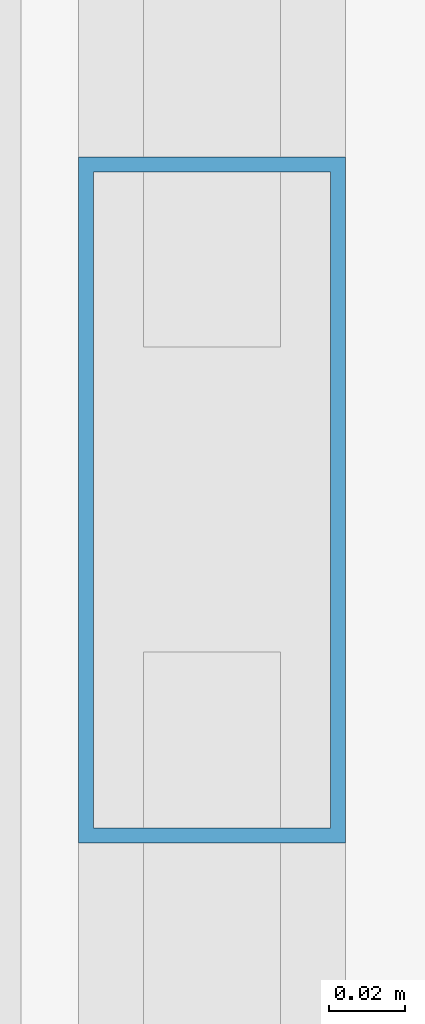
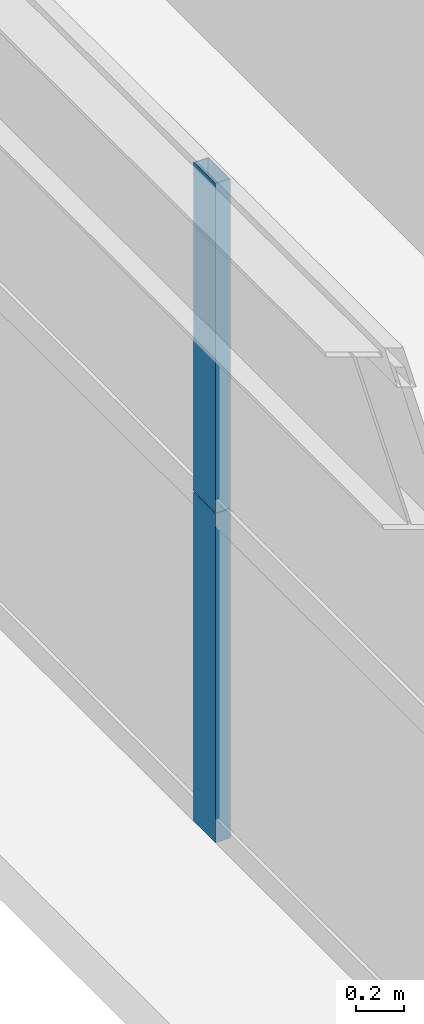
# One storey, part 22 of 43: 2 members, 1 element without a shape of its own.
"""IFC4 building model written with IfcOpenShell, lengths in metres."""

from ifc_helpers import new_model, si_unit, direction, frame, origin, origin_2d, place, context, subcontext, project, spatial, hollow_rectangle, extrude, source, transform, mapped, material, layer, layer_set, material_profile, profile_set, type_object, element, aggregate, save


model = new_model("IFC4")

# Units and contexts
model_context = context("Model", 3, precision=1e-05, world=origin(), true_north=direction((0.0, 1.0)))
body_context = subcontext(model_context, "Body", "Model", "MODEL_VIEW")
ifc_project = project(units=[si_unit("LENGTHUNIT", "METRE"), si_unit("AREAUNIT", "SQUARE_METRE"), si_unit("VOLUMEUNIT", "CUBIC_METRE"), si_unit("PLANEANGLEUNIT", "RADIAN"), si_unit("MASSUNIT", "GRAM", prefix="KILO"), si_unit("THERMODYNAMICTEMPERATUREUNIT", "KELVIN"), si_unit("POWERUNIT", "WATT")], contexts=[model_context])

# Site, building, storey
site_placement = place(None, origin())
site = spatial("IfcSite", under=ifc_project, at=site_placement, CompositionType="ELEMENT")
building_placement = place(site_placement, origin())
building = spatial("IfcBuilding", under=site, at=building_placement, Name="Yuzanri Waterfront Tower", CompositionType="ELEMENT")
storey_placement = place(building_placement, frame((0.0, 0.0, 37.800048828125)))
storey = spatial("IfcBuildingStorey", under=building, at=storey_placement, Name="L09", CompositionType="ELEMENT", Elevation=37.800048828125)

# Curtain wall, members
ifc_material_1 = material(Name="Anodized Architectural Bronze", Category="metal")
ifc_layer = layer(ifc_material_1, 0.159912109375)
ifc_layer_set = layer_set([ifc_layer], Name="Anodized Architectural Bronze")
curtain_wall_type = type_object("IfcCurtainWallType", Name="Anodized Bronze Hotel Lower-Tier Recessed Unitized Curtain Wall 8100", PredefinedType="NOTDEFINED", material=ifc_layer_set)
curtain_wall_placement = place(storey_placement, origin())
curtain_wall = element("IfcCurtainWall", 1, at=curtain_wall_placement, inside=storey, type_object=curtain_wall_type, Name="L09 Curtain Wall CW-L09-WR", PredefinedType="NOTDEFINED")
ifc_material_2 = material(Name="Anodized Architectural Bronze", Category="metal")
ifc_material_profile = material_profile(ifc_material_2, hollow_rectangle(XDim=0.070068359375, YDim=0.179931640625, WallThickness=0.00390625, at=origin_2d()), Name="CWM 70x180")
ifc_profile_set = profile_set([ifc_material_profile], Name="Anodized Architectural Bronze")
member_type = type_object("IfcMemberType", Name="Anodized Bronze Standard Curtain-Wall Mullion 70x180", PredefinedType="MULLION", material=ifc_profile_set)
shared_shape_1 = source(origin(), body_context, "Body", "SweptSolid", [
    extrude(hollow_rectangle(XDim=0.070068359375, YDim=0.179931640625, WallThickness=0.00390625, at=origin_2d()), origin(), (0.0, 0.0, 1.0), 1.657958984375),
])
member_1_placement = place(storey_placement, frame((12.050048828125, 34.89990234375, 0.0), z_axis=(0.0, 0.0, 1.0), x_axis=(1.0, 0.0, 0.0)))
member_1 = element("IfcMember", 2, at=member_1_placement, type_object=member_type, Name="CW-L09-WR Lower Mullion 01", PredefinedType="MULLION", context=body_context, shape_type="MappedRepresentation", body=[
    mapped(shared_shape_1, transform((0.0, 0.0, 0.0), scale=1.0)),
])
shared_shape_2 = source(origin(), body_context, "Body", "SweptSolid", [
    extrude(hollow_rectangle(XDim=0.070068359375, YDim=0.179931640625, WallThickness=0.00390625, at=origin_2d()), origin(), (0.0, 0.0, 1.0), 1.658203125),
])
member_2_placement = place(storey_placement, frame((12.050048828125, 34.89990234375, 1.661865234375), z_axis=(0.0, 0.0, 1.0), x_axis=(1.0, 0.0, 0.0)))
member_2 = element("IfcMember", 3, at=member_2_placement, type_object=member_type, Name="CW-L09-WR Upper Mullion 01", PredefinedType="MULLION", context=body_context, shape_type="MappedRepresentation", body=[
    mapped(shared_shape_2, transform((0.0, 0.0, 0.0), scale=1.0)),
])
aggregate(curtain_wall, [member_1, member_2])

save(model, "model.ifc")
